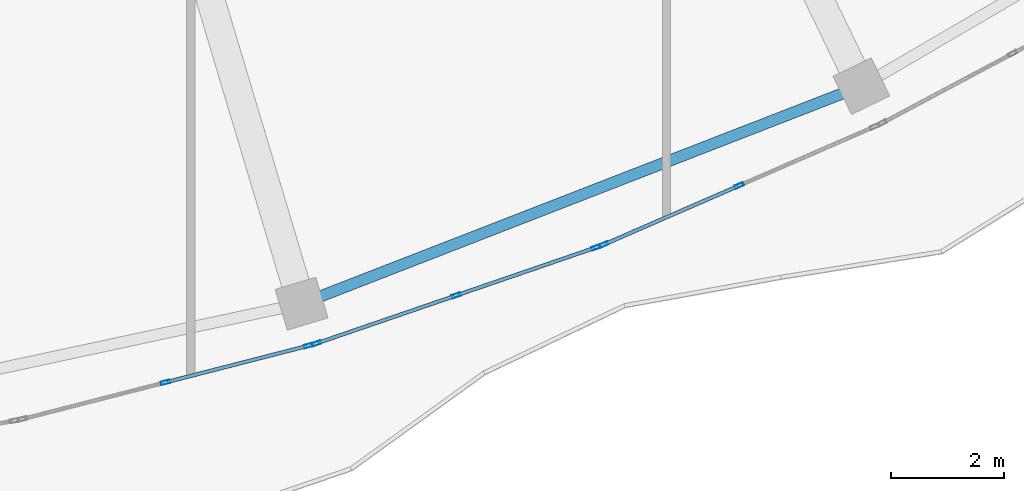
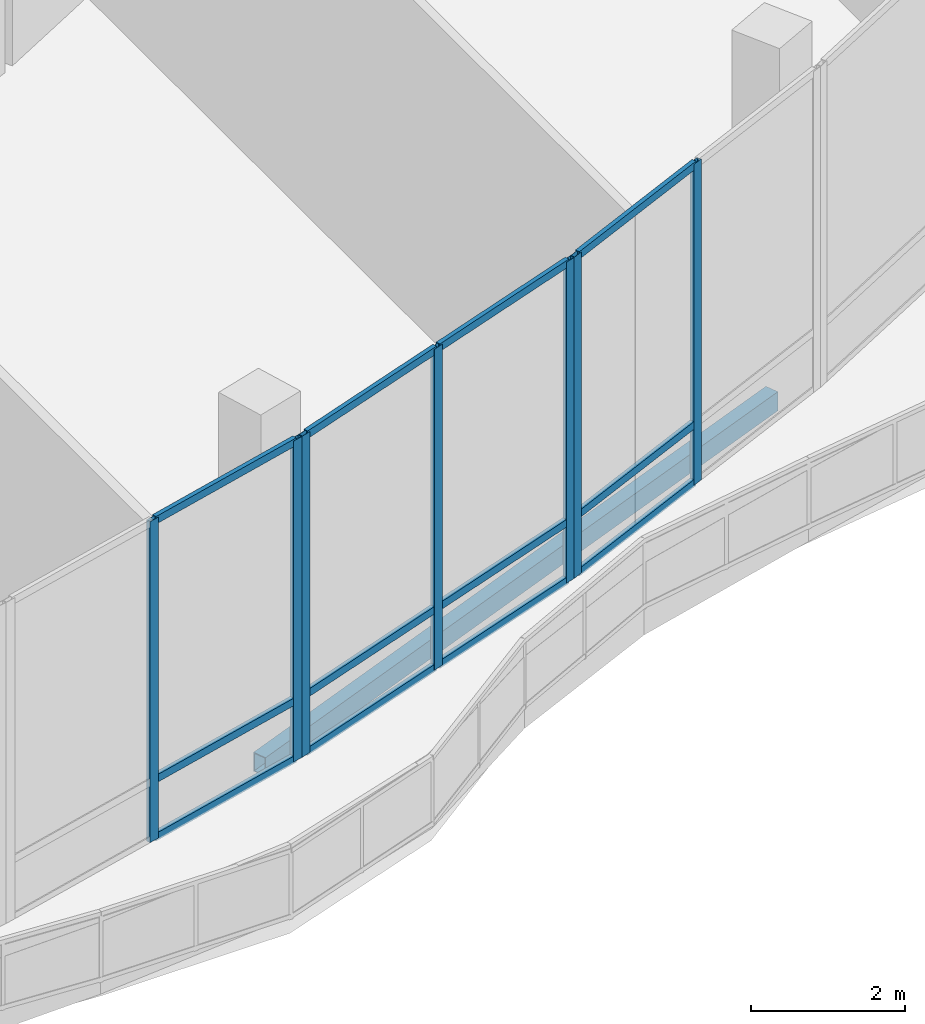
# One storey, part 43 of 158: 19 members, 1 beam, 3 elements without a shape of their own.
"""IFC4 building model written with IfcOpenShell, lengths in metres."""

from ifc_helpers import new_model, si_unit, direction, frame, origin, origin_2d, place, context, subcontext, project, spatial, hollow_rectangle, extrude, material, material_profile, profile_set, type_object, element, aggregate, save


model = new_model("IFC4")

# Units and contexts
model_context = context("Model", 3, precision=1e-05, world=origin(), true_north=direction((0.0, 1.0)))
body_context = subcontext(model_context, "Body", "Model", "MODEL_VIEW")
ifc_project = project(units=[si_unit("LENGTHUNIT", "METRE"), si_unit("AREAUNIT", "SQUARE_METRE"), si_unit("VOLUMEUNIT", "CUBIC_METRE"), si_unit("PLANEANGLEUNIT", "RADIAN"), si_unit("MASSUNIT", "GRAM", prefix="KILO")], contexts=[model_context])

# Site, building, storey
site_placement = place(None, origin())
site = spatial("IfcSite", under=ifc_project, at=site_placement, CompositionType="ELEMENT")
building_placement = place(site_placement, origin())
building = spatial("IfcBuilding", under=site, at=building_placement, Name="Selatvlak General Hospital", CompositionType="ELEMENT")
storey_placement = place(building_placement, origin())
storey = spatial("IfcBuildingStorey", under=building, at=storey_placement, Name="L00", CompositionType="ELEMENT", Elevation=0.0)

# Beam
ifc_material_1 = material(Name="Steel S355", Category="steel")
ifc_material_profile_1 = material_profile(ifc_material_1, hollow_rectangle(XDim=0.199951171875, YDim=0.300048828125, WallThickness=0.011962890625, at=origin_2d()), Name="RHS 300x200x12")
ifc_profile_set_1 = profile_set([ifc_material_profile_1], Name="Steel S355")
beam_type = type_object("IfcBeamType", Name="BM-SP3", PredefinedType="SPANDREL", material=ifc_profile_set_1)
beam_placement = place(storey_placement, frame((75.155029296875, 15.556884765625, -0.5), z_axis=(0.932089721368, 0.362227485596, 0.0), x_axis=(-0.362227485596, 0.932089721368, 0.0)))
element("IfcBeam", 1, at=beam_placement, inside=storey, type_object=beam_type, Name="Beam BMR-L00-0373", PredefinedType="SPANDREL", context=body_context, shape_type="SweptSolid", body=[
    extrude(hollow_rectangle(XDim=0.199951171875, YDim=0.300048828125, WallThickness=0.011962890625, at=origin_2d()), origin(), (0.0, 0.0, 1.0), 10.609375),
])

# Curtain wall, members
ifc_material_2 = material(Name="Solar-control Low-E double glazing", Category="glass")
curtain_wall_type_1 = type_object("IfcCurtainWallType", Name="CW-CW-01", PredefinedType="USERDEFINED", material=ifc_material_2)
curtain_wall_1_placement = place(storey_placement, origin())
curtain_wall_1 = element("IfcCurtainWall", 2, at=curtain_wall_1_placement, inside=storey, type_object=curtain_wall_type_1, Name="Glazed facade curtain wall CW-L00-0049", ObjectType="UNITISED CURTAIN WALL", PredefinedType="USERDEFINED")
ifc_material_3 = material(Name="Dark anodised aluminium mullion", Category="aluminium")
ifc_material_profile_2 = material_profile(ifc_material_3, hollow_rectangle(XDim=0.06494140625, YDim=0.159912109375, WallThickness=0.00390625, at=origin_2d()), Name="AL-MUL 65x160x4")
ifc_profile_set_2 = profile_set([ifc_material_profile_2], Name="Dark anodised aluminium mullion")
member_type_1 = type_object("IfcMemberType", Name="CWM-01", PredefinedType="MULLION", material=ifc_profile_set_2)
member_1_placement = place(storey_placement, frame((82.886962890625, 17.64404296875, 0.0), z_axis=(0.0, 0.0, 1.0), x_axis=(0.399389828763, -0.916781197822, 0.0)))
member_1 = element("IfcMember", 3, at=member_1_placement, type_object=member_type_1, Name="CW-01 mullion 2", PredefinedType="MULLION", context=body_context, shape_type="SweptSolid", body=[
    extrude(hollow_rectangle(XDim=0.06494140625, YDim=0.159912109375, WallThickness=0.00390625, at=origin_2d()), origin(), (0.0, 0.0, 1.0), 5.080078125),
])
member_2_placement = place(storey_placement, frame((80.49267578125, 16.60107421875, 0.0), z_axis=(0.0, 0.0, 1.0), x_axis=(0.399389828763, -0.916781197822, 0.0)))
member_2 = element("IfcMember", 4, at=member_2_placement, type_object=member_type_1, Name="CW-01 mullion 3", PredefinedType="MULLION", context=body_context, shape_type="SweptSolid", body=[
    extrude(hollow_rectangle(XDim=0.06494140625, YDim=0.159912109375, WallThickness=0.00390625, at=origin_2d()), origin(), (0.0, 0.0, 1.0), 5.080078125),
])

curtain_wall_type_2 = type_object("IfcCurtainWallType", Name="CW-CW-02", PredefinedType="USERDEFINED", material=ifc_material_2)
curtain_wall_2_placement = place(storey_placement, origin())
curtain_wall_2 = element("IfcCurtainWall", 5, at=curtain_wall_2_placement, inside=storey, type_object=curtain_wall_type_2, Name="Glazed facade curtain wall CW-L00-0050", ObjectType="UNITISED CURTAIN WALL", PredefinedType="USERDEFINED")
member_3_placement = place(storey_placement, frame((80.357177734375, 16.550537109375, 0.0), z_axis=(0.0, 0.0, 1.0), x_axis=(0.324609481996, -0.945848129563, 0.0)))
member_3 = element("IfcMember", 6, at=member_3_placement, type_object=member_type_1, Name="CW-02 mullion 1", PredefinedType="MULLION", context=body_context, shape_type="SweptSolid", body=[
    extrude(hollow_rectangle(XDim=0.06494140625, YDim=0.159912109375, WallThickness=0.00390625, at=origin_2d()), origin(), (0.0, 0.0, 1.0), 5.080078125),
])
member_4_placement = place(storey_placement, frame((77.886474609375, 15.702392578125, 0.0), z_axis=(0.0, 0.0, 1.0), x_axis=(0.324609481996, -0.945848129563, 0.0)))
member_4 = element("IfcMember", 7, at=member_4_placement, type_object=member_type_1, Name="CW-02 mullion 2", PredefinedType="MULLION", context=body_context, shape_type="SweptSolid", body=[
    extrude(hollow_rectangle(XDim=0.06494140625, YDim=0.159912109375, WallThickness=0.00390625, at=origin_2d()), origin(), (0.0, 0.0, 1.0), 5.080078125),
])
member_5_placement = place(storey_placement, frame((75.415771484375, 14.8544921875, 0.0), z_axis=(0.0, 0.0, 1.0), x_axis=(0.324609481996, -0.945848129563, 0.0)))
member_5 = element("IfcMember", 8, at=member_5_placement, type_object=member_type_1, Name="CW-02 mullion 3", PredefinedType="MULLION", context=body_context, shape_type="SweptSolid", body=[
    extrude(hollow_rectangle(XDim=0.06494140625, YDim=0.159912109375, WallThickness=0.00390625, at=origin_2d()), origin(), (0.0, 0.0, 1.0), 5.080078125),
])

curtain_wall_3_placement = place(storey_placement, origin())
curtain_wall_3 = element("IfcCurtainWall", 9, at=curtain_wall_3_placement, inside=storey, type_object=curtain_wall_type_1, Name="Glazed facade curtain wall CW-L00-0051", ObjectType="UNITISED CURTAIN WALL", PredefinedType="USERDEFINED")
member_6_placement = place(storey_placement, frame((75.276611328125, 14.81494140625, 0.0), z_axis=(0.0, 0.0, 1.0), x_axis=(0.248543854938, -0.968620644098, 0.0)))
member_6 = element("IfcMember", 10, at=member_6_placement, type_object=member_type_1, Name="CW-01 mullion 1", PredefinedType="MULLION", context=body_context, shape_type="SweptSolid", body=[
    extrude(hollow_rectangle(XDim=0.06494140625, YDim=0.159912109375, WallThickness=0.00390625, at=origin_2d()), origin(), (0.0, 0.0, 1.0), 5.080078125),
])
member_7_placement = place(storey_placement, frame((72.74951171875, 14.16650390625, 0.0), z_axis=(0.0, 0.0, 1.0), x_axis=(0.248543854938, -0.968620644098, 0.0)))
member_7 = element("IfcMember", 11, at=member_7_placement, type_object=member_type_1, Name="CW-01 mullion 2", PredefinedType="MULLION", context=body_context, shape_type="SweptSolid", body=[
    extrude(hollow_rectangle(XDim=0.06494140625, YDim=0.159912109375, WallThickness=0.00390625, at=origin_2d()), origin(), (0.0, 0.0, 1.0), 5.080078125),
])

# Member
ifc_material_profile_3 = material_profile(ifc_material_3, hollow_rectangle(XDim=0.06494140625, YDim=0.1201171875, WallThickness=0.00390625, at=origin_2d()), Name="AL-TRN 65x120x4")
ifc_profile_set_3 = profile_set([ifc_material_profile_3], Name="Dark anodised aluminium mullion")
member_type_2 = type_object("IfcMemberType", Name="CWT-01", PredefinedType="USERDEFINED", material=ifc_profile_set_3)
member_8_placement = place(storey_placement, frame((82.857177734375, 17.631103515625, 0.032470703125), z_axis=(-0.916767989368, -0.399420146801, 0.0), x_axis=(0.399420146801, -0.916767989368, 0.0)))
member_8 = element("IfcMember", 12, at=member_8_placement, type_object=member_type_2, Name="CW-01 transom 2.1", ObjectType="TRANSOM", PredefinedType="USERDEFINED", context=body_context, shape_type="SweptSolid", body=[
    extrude(hollow_rectangle(XDim=0.06494140625, YDim=0.1201171875, WallThickness=0.00390625, at=origin_2d()), origin(), (0.0, 0.0, 1.0), 2.54638671875),
])

member_9_placement = place(storey_placement, frame((82.857177734375, 17.631103515625, 0.949951171875), z_axis=(-0.916767989368, -0.399420146801, 0.0), x_axis=(0.399420146801, -0.916767989368, 0.0)))
member_9 = element("IfcMember", 13, at=member_9_placement, type_object=member_type_2, Name="CW-01 transom 2.2", ObjectType="TRANSOM", PredefinedType="USERDEFINED", context=body_context, shape_type="SweptSolid", body=[
    extrude(hollow_rectangle(XDim=0.06494140625, YDim=0.1201171875, WallThickness=0.00390625, at=origin_2d()), origin(), (0.0, 0.0, 1.0), 2.54638671875),
])

member_10_placement = place(storey_placement, frame((82.857177734375, 17.631103515625, 5.047607421875), z_axis=(-0.916767989368, -0.399420146801, 0.0), x_axis=(0.399420146801, -0.916767989368, 0.0)))
member_10 = element("IfcMember", 14, at=member_10_placement, type_object=member_type_2, Name="CW-01 transom 2.3", ObjectType="TRANSOM", PredefinedType="USERDEFINED", context=body_context, shape_type="SweptSolid", body=[
    extrude(hollow_rectangle(XDim=0.06494140625, YDim=0.1201171875, WallThickness=0.00390625, at=origin_2d()), origin(), (0.0, 0.0, 1.0), 2.54638671875),
])

aggregate(curtain_wall_1, [member_1, member_2, member_8, member_9, member_10])

member_11_placement = place(storey_placement, frame((80.326416015625, 16.539794921875, 0.032470703125), z_axis=(-0.945866939821, -0.324554667434, 0.0), x_axis=(0.324554667434, -0.945866939821, 0.0)))
member_11 = element("IfcMember", 15, at=member_11_placement, type_object=member_type_2, Name="CW-02 transom 1.1", ObjectType="TRANSOM", PredefinedType="USERDEFINED", context=body_context, shape_type="SweptSolid", body=[
    extrude(hollow_rectangle(XDim=0.06494140625, YDim=0.1201171875, WallThickness=0.00390625, at=origin_2d()), origin(), (0.0, 0.0, 1.0), 2.547119140625),
])

member_12_placement = place(storey_placement, frame((80.326416015625, 16.539794921875, 0.949951171875), z_axis=(-0.945866939821, -0.324554667434, 0.0), x_axis=(0.324554667434, -0.945866939821, 0.0)))
member_12 = element("IfcMember", 16, at=member_12_placement, type_object=member_type_2, Name="CW-02 transom 1.2", ObjectType="TRANSOM", PredefinedType="USERDEFINED", context=body_context, shape_type="SweptSolid", body=[
    extrude(hollow_rectangle(XDim=0.06494140625, YDim=0.1201171875, WallThickness=0.00390625, at=origin_2d()), origin(), (0.0, 0.0, 1.0), 2.547119140625),
])

member_13_placement = place(storey_placement, frame((80.326416015625, 16.539794921875, 5.047607421875), z_axis=(-0.945866939821, -0.324554667434, 0.0), x_axis=(0.324554667434, -0.945866939821, 0.0)))
member_13 = element("IfcMember", 17, at=member_13_placement, type_object=member_type_2, Name="CW-02 transom 1.3", ObjectType="TRANSOM", PredefinedType="USERDEFINED", context=body_context, shape_type="SweptSolid", body=[
    extrude(hollow_rectangle(XDim=0.06494140625, YDim=0.1201171875, WallThickness=0.00390625, at=origin_2d()), origin(), (0.0, 0.0, 1.0), 2.547119140625),
])

member_14_placement = place(storey_placement, frame((77.855712890625, 15.69189453125, 0.032470703125), z_axis=(-0.945837511691, -0.324640418737, 0.0), x_axis=(0.324640418737, -0.945837511691, 0.0)))
member_14 = element("IfcMember", 18, at=member_14_placement, type_object=member_type_2, Name="CW-02 transom 2.1", ObjectType="TRANSOM", PredefinedType="USERDEFINED", context=body_context, shape_type="SweptSolid", body=[
    extrude(hollow_rectangle(XDim=0.06494140625, YDim=0.1201171875, WallThickness=0.00390625, at=origin_2d()), origin(), (0.0, 0.0, 1.0), 2.547119140625),
])

member_15_placement = place(storey_placement, frame((77.855712890625, 15.69189453125, 0.949951171875), z_axis=(-0.945837511691, -0.324640418737, 0.0), x_axis=(0.324640418737, -0.945837511691, 0.0)))
member_15 = element("IfcMember", 19, at=member_15_placement, type_object=member_type_2, Name="CW-02 transom 2.2", ObjectType="TRANSOM", PredefinedType="USERDEFINED", context=body_context, shape_type="SweptSolid", body=[
    extrude(hollow_rectangle(XDim=0.06494140625, YDim=0.1201171875, WallThickness=0.00390625, at=origin_2d()), origin(), (0.0, 0.0, 1.0), 2.547119140625),
])

member_16_placement = place(storey_placement, frame((77.855712890625, 15.69189453125, 5.047607421875), z_axis=(-0.945837511691, -0.324640418737, 0.0), x_axis=(0.324640418737, -0.945837511691, 0.0)))
member_16 = element("IfcMember", 20, at=member_16_placement, type_object=member_type_2, Name="CW-02 transom 2.3", ObjectType="TRANSOM", PredefinedType="USERDEFINED", context=body_context, shape_type="SweptSolid", body=[
    extrude(hollow_rectangle(XDim=0.06494140625, YDim=0.1201171875, WallThickness=0.00390625, at=origin_2d()), origin(), (0.0, 0.0, 1.0), 2.547119140625),
])

aggregate(curtain_wall_2, [member_3, member_4, member_5, member_11, member_12, member_13, member_14, member_15, member_16])

member_17_placement = place(storey_placement, frame((75.2451171875, 14.806884765625, 0.032470703125), z_axis=(-0.968616485503, -0.248560061176, 0.0), x_axis=(0.248560061176, -0.968616485503, 0.0)))
member_17 = element("IfcMember", 21, at=member_17_placement, type_object=member_type_2, Name="CW-01 transom 1.1", ObjectType="TRANSOM", PredefinedType="USERDEFINED", context=body_context, shape_type="SweptSolid", body=[
    extrude(hollow_rectangle(XDim=0.06494140625, YDim=0.1201171875, WallThickness=0.00390625, at=origin_2d()), origin(), (0.0, 0.0, 1.0), 2.5439453125),
])

member_18_placement = place(storey_placement, frame((75.2451171875, 14.806884765625, 0.949951171875), z_axis=(-0.968616485503, -0.248560061176, 0.0), x_axis=(0.248560061176, -0.968616485503, 0.0)))
member_18 = element("IfcMember", 22, at=member_18_placement, type_object=member_type_2, Name="CW-01 transom 1.2", ObjectType="TRANSOM", PredefinedType="USERDEFINED", context=body_context, shape_type="SweptSolid", body=[
    extrude(hollow_rectangle(XDim=0.06494140625, YDim=0.1201171875, WallThickness=0.00390625, at=origin_2d()), origin(), (0.0, 0.0, 1.0), 2.5439453125),
])

member_19_placement = place(storey_placement, frame((75.2451171875, 14.806884765625, 5.047607421875), z_axis=(-0.968616485503, -0.248560061176, 0.0), x_axis=(0.248560061176, -0.968616485503, 0.0)))
member_19 = element("IfcMember", 23, at=member_19_placement, type_object=member_type_2, Name="CW-01 transom 1.3", ObjectType="TRANSOM", PredefinedType="USERDEFINED", context=body_context, shape_type="SweptSolid", body=[
    extrude(hollow_rectangle(XDim=0.06494140625, YDim=0.1201171875, WallThickness=0.00390625, at=origin_2d()), origin(), (0.0, 0.0, 1.0), 2.5439453125),
])

aggregate(curtain_wall_3, [member_6, member_7, member_17, member_18, member_19])

save(model, "model.ifc")
